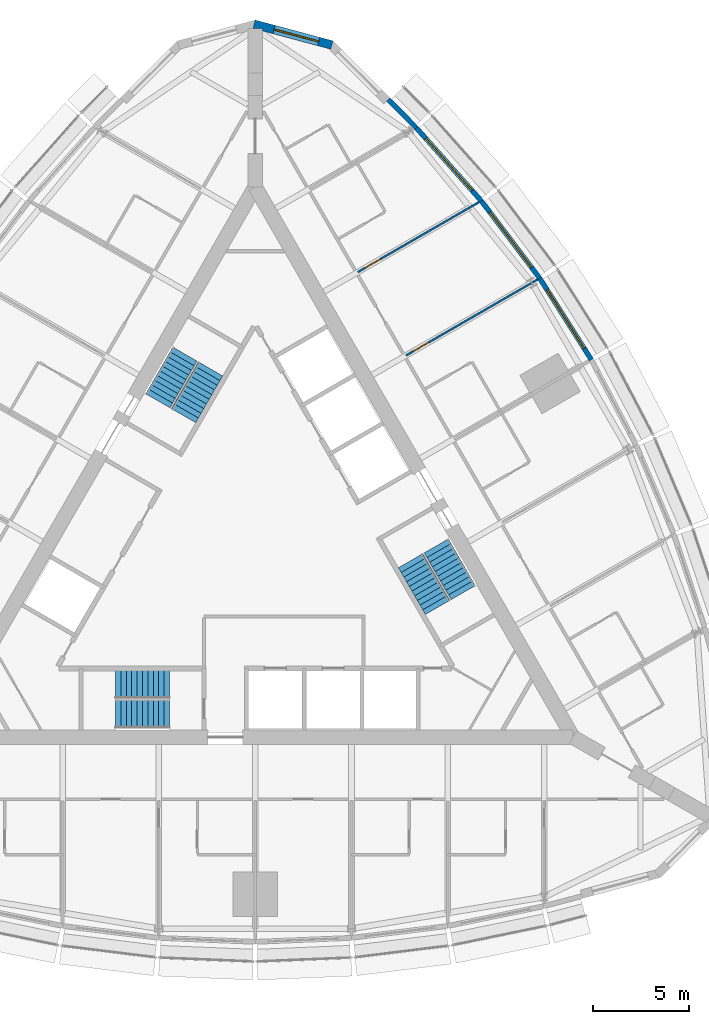
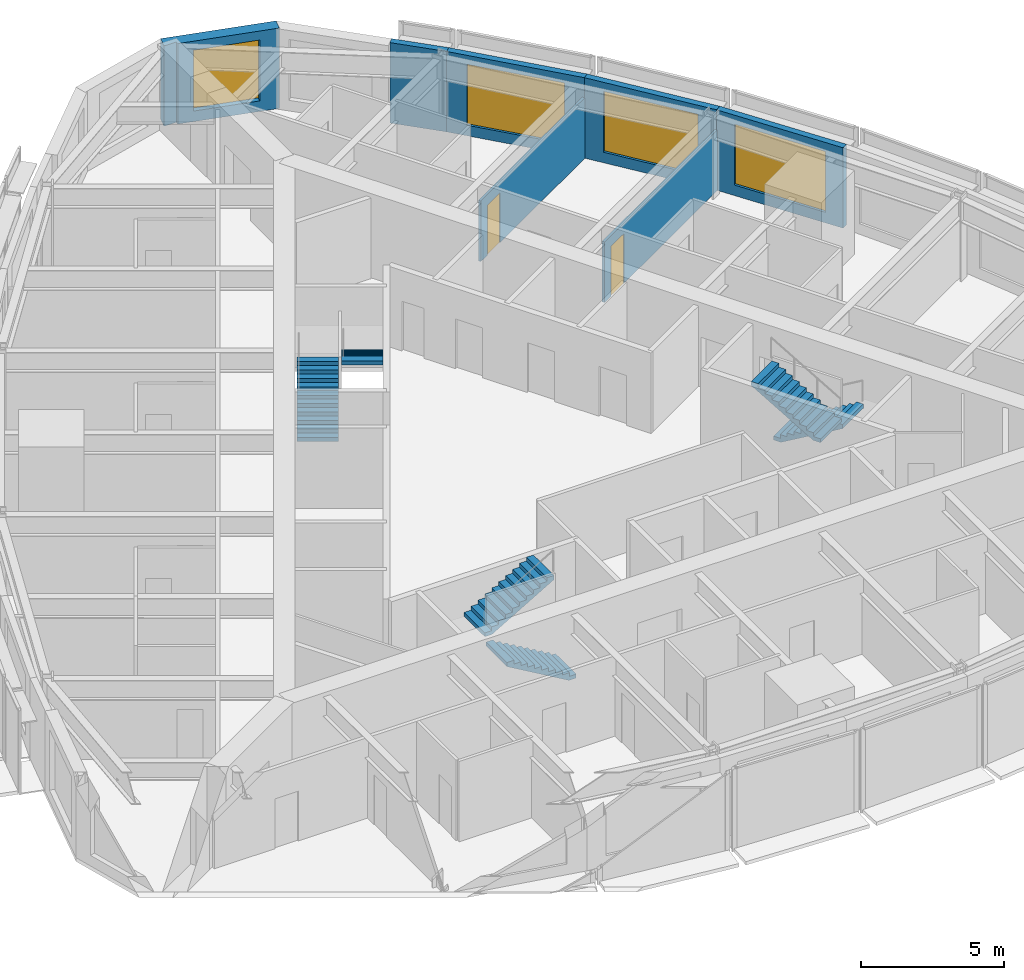
# One storey, part 14 of 15: 7 walls, 6 stair flights, 4 windows, 2 doors, 6 openings, 3 elements without a shape of their own.
"""IFC4 building model written with IfcOpenShell, lengths in metres."""

from ifc_helpers import new_model, si_unit, direction, frame, frame_2d, origin, place, context, subcontext, project, spatial, polyline, rectangle, outline, extrude, material, layer, layer_set, type_object, element, fill, aggregate, save


model = new_model("IFC4")

# Units and contexts
model_context = context("Model", 3, precision=1e-05, world=origin(), true_north=direction((0.0, 1.0)))
body_context = subcontext(model_context, "Body", "Model", "MODEL_VIEW")
ifc_project = project(units=[si_unit("LENGTHUNIT", "METRE"), si_unit("AREAUNIT", "SQUARE_METRE"), si_unit("VOLUMEUNIT", "CUBIC_METRE"), si_unit("PLANEANGLEUNIT", "RADIAN"), si_unit("MASSUNIT", "GRAM", prefix="KILO")], contexts=[model_context])

# Site, building, storey
site_placement = place(None, origin())
site = spatial("IfcSite", under=ifc_project, at=site_placement, CompositionType="ELEMENT")
building_placement = place(site_placement, origin())
building = spatial("IfcBuilding", under=site, at=building_placement, Name="Trikona Tower", CompositionType="ELEMENT")
storey_placement = place(building_placement, frame((0.0, 0.0, 226.10009765625)))
storey = spatial("IfcBuildingStorey", under=building, at=storey_placement, Name="L60", CompositionType="ELEMENT", Elevation=226.10009765625)

# Wall, opening, window
ifc_material_1 = material(Name="Brick-faced precast concrete", Category="masonry")
ifc_layer_1 = layer(ifc_material_1, 0.449951171875)
ifc_layer_set_1 = layer_set([ifc_layer_1], Name="Brick-faced corner wall 450")
wall_type_1 = type_object("IfcWallType", Name="Brick-faced corner wall 450", PredefinedType="SOLIDWALL", material=ifc_layer_set_1)
wall_1_placement = place(storey_placement, frame((3.9833984375, 26.41259765625, 0.0), z_axis=(0.0, 0.0, 1.0), x_axis=(-0.965920442324, 0.258839137498, 0.0)))
wall_1 = element("IfcWall", 1, at=wall_1_placement, inside=storey, type_object=wall_type_1, Name="External wall L60-21", PredefinedType="SOLIDWALL", context=body_context, shape_type="SweptSolid", body=[
    extrude(outline(polyline([(4.18408203125, 0.22509765625), (4.124267578125, 0.22509765625), (3.70556640625, 0.11279296875), (3.675537109375, 0.22509765625), (0.0, 0.22509765625), (0.0, -0.22509765625), (4.18408203125, -0.22509765625), (4.18408203125, 0.22509765625)])), origin(), (0.0, 0.0, 1.0), 3.434814453125),
])
opening_1_placement = place(wall_1_placement, frame((0.712646484375, 0.0, 0.449951171875)))
opening_1 = element("IfcOpeningElement", 2, at=opening_1_placement, cuts=wall_1, Name="Opening W2426", PredefinedType="OPENING", context=body_context, shape_type="SweptSolid", body=[
    extrude(rectangle(XDim=2.39990234375, YDim=2.60009765625, at=frame_2d((1.199951171875, 1.300048828125))), frame((0.0, 0.23486328125, 0.0), z_axis=(0.0, -1.0, 0.0), x_axis=(1.0, 0.0, 0.0)), (0.0, 0.0, 1.0), 0.469970703125),
])
ifc_material_2 = material(Name="Aluminium-framed double glazing", Category="aluminium")
window_type_1 = type_object("IfcWindowType", Name="Window 2400x2600", PartitioningType="SINGLE_PANEL", PredefinedType="WINDOW", material=ifc_material_2)
window_1_placement = place(opening_1_placement, origin())
window_1 = element("IfcWindow", 3, at=window_1_placement, inside=storey, type_object=window_type_1, Name="Window 6008", OverallHeight=2.60009765625, OverallWidth=2.39990234375, PartitioningType="SINGLE_PANEL", PredefinedType="WINDOW", context=body_context, shape_type="SweptSolid", body=[
    extrude(rectangle(XDim=2.39990234375, YDim=2.60009765625, at=frame_2d((1.199951171875, 1.300048828125))), frame((0.0, 0.030029296875, 0.0), z_axis=(0.0, -1.0, 0.0), x_axis=(1.0, 0.0, 0.0)), (0.0, 0.0, 1.0), 0.06005859375),
])
fill(opening_1, window_1)

ifc_material_3 = material(Name="Insulated precast concrete spandrel panel", Category="concrete")
ifc_layer_2 = layer(ifc_material_3, 0.25)
ifc_layer_set_2 = layer_set([ifc_layer_2], Name="Inner skin wall 250")
wall_type_2 = type_object("IfcWallType", Name="Inner skin wall 250", PredefinedType="STANDARD", material=ifc_layer_set_2)
wall_2_placement = place(storey_placement, frame((17.45556640625, 10.072021484375, 0.0), z_axis=(0.0, 0.0, 1.0), x_axis=(-0.535220361449, 0.844712474568, 0.0)))
wall_2 = element("IfcWall", 4, at=wall_2_placement, inside=storey, type_object=wall_type_2, Name="External wall L60-16", PredefinedType="STANDARD", context=body_context, shape_type="SweptSolid", body=[
    extrude(rectangle(XDim=5.00439453125, YDim=0.25, at=frame_2d((2.502197265625, 0.0))), origin(), (0.0, 0.0, 1.0), 3.434814453125),
])
opening_2_placement = place(wall_2_placement, frame((0.7021484375, 0.0, 0.449951171875)))
opening_2 = element("IfcOpeningElement", 5, at=opening_2_placement, cuts=wall_2, Name="Opening W3626", PredefinedType="OPENING", context=body_context, shape_type="SweptSolid", body=[
    extrude(rectangle(XDim=3.60009765625, YDim=2.60009765625, at=frame_2d((1.800048828125, 1.300048828125))), frame((0.0, 0.135009765625, 0.0), z_axis=(0.0, -1.0, 0.0), x_axis=(1.0, 0.0, 0.0)), (0.0, 0.0, 1.0), 0.27001953125),
])
ifc_material_4 = material(Name="Aluminium-framed double glazing", Category="aluminium")
window_type_2 = type_object("IfcWindowType", Name="Window 3600x2600", PartitioningType="SINGLE_PANEL", PredefinedType="WINDOW", material=ifc_material_4)
window_2_placement = place(opening_2_placement, origin())
window_2 = element("IfcWindow", 6, at=window_2_placement, inside=storey, type_object=window_type_2, Name="Window 6007.1", OverallHeight=2.60009765625, OverallWidth=3.60009765625, PartitioningType="SINGLE_PANEL", PredefinedType="WINDOW", context=body_context, shape_type="SweptSolid", body=[
    extrude(rectangle(XDim=3.60009765625, YDim=2.60009765625, at=frame_2d((1.800048828125, 1.300048828125))), frame((0.0, 0.030029296875, 0.0), z_axis=(0.0, -1.0, 0.0), x_axis=(1.0, 0.0, 0.0)), (0.0, 0.0, 1.0), 0.06005859375),
])
fill(opening_2, window_2)

wall_3_placement = place(storey_placement, frame((14.782958984375, 14.290771484375, 0.0), z_axis=(0.0, 0.0, 1.0), x_axis=(-0.602408653511, 0.798187831388, 0.0)))
wall_3 = element("IfcWall", 7, at=wall_3_placement, inside=storey, type_object=wall_type_2, Name="External wall L60-17", PredefinedType="STANDARD", context=body_context, shape_type="SweptSolid", body=[
    extrude(rectangle(XDim=5.037841796875, YDim=0.25, at=frame_2d((2.51904296875, 0.0))), origin(), (0.0, 0.0, 1.0), 3.434814453125),
])
opening_3_placement = place(wall_3_placement, frame((0.718994140625, 0.0, 0.449951171875)))
opening_3 = element("IfcOpeningElement", 8, at=opening_3_placement, cuts=wall_3, Name="Opening W3626", PredefinedType="OPENING", context=body_context, shape_type="SweptSolid", body=[
    extrude(rectangle(XDim=3.60009765625, YDim=2.60009765625, at=frame_2d((1.800048828125, 1.300048828125))), frame((0.0, 0.135009765625, 0.0), z_axis=(0.0, -1.0, 0.0), x_axis=(1.0, 0.0, 0.0)), (0.0, 0.0, 1.0), 0.27001953125),
])
window_3_placement = place(opening_3_placement, origin())
window_3 = element("IfcWindow", 9, at=window_3_placement, inside=storey, type_object=window_type_2, Name="Window 6007", OverallHeight=2.60009765625, OverallWidth=3.60009765625, PartitioningType="SINGLE_PANEL", PredefinedType="WINDOW", context=body_context, shape_type="SweptSolid", body=[
    extrude(rectangle(XDim=3.60009765625, YDim=2.60009765625, at=frame_2d((1.800048828125, 1.300048828125))), frame((0.0, 0.030029296875, 0.0), z_axis=(0.0, -1.0, 0.0), x_axis=(1.0, 0.0, 0.0)), (0.0, 0.0, 1.0), 0.06005859375),
])
fill(opening_3, window_3)

wall_4_placement = place(storey_placement, frame((11.75439453125, 18.304443359375, 0.0), z_axis=(0.0, 0.0, 1.0), x_axis=(-0.664348996191, 0.747422511876, 0.0)))
wall_4 = element("IfcWall", 10, at=wall_4_placement, inside=storey, type_object=wall_type_2, Name="External wall L60-18", PredefinedType="STANDARD", context=body_context, shape_type="SweptSolid", body=[
    extrude(rectangle(XDim=5.104736328125, YDim=0.25, at=frame_2d((2.55224609375, 0.0))), origin(), (0.0, 0.0, 1.0), 3.434814453125),
])
opening_4_placement = place(wall_4_placement, frame((0.75244140625, 0.0, 0.449951171875)))
opening_4 = element("IfcOpeningElement", 11, at=opening_4_placement, cuts=wall_4, Name="Opening W3626", PredefinedType="OPENING", context=body_context, shape_type="SweptSolid", body=[
    extrude(rectangle(XDim=3.60009765625, YDim=2.60009765625, at=frame_2d((1.800048828125, 1.300048828125))), frame((0.0, 0.135009765625, 0.0), z_axis=(0.0, -1.0, 0.0), x_axis=(1.0, 0.0, 0.0)), (0.0, 0.0, 1.0), 0.27001953125),
])
window_4_placement = place(opening_4_placement, origin())
window_4 = element("IfcWindow", 12, at=window_4_placement, inside=storey, type_object=window_type_2, Name="Window 6007.2", OverallHeight=2.60009765625, OverallWidth=3.60009765625, PartitioningType="SINGLE_PANEL", PredefinedType="WINDOW", context=body_context, shape_type="SweptSolid", body=[
    extrude(rectangle(XDim=3.60009765625, YDim=2.60009765625, at=frame_2d((1.800048828125, 1.300048828125))), frame((0.0, 0.030029296875, 0.0), z_axis=(0.0, -1.0, 0.0), x_axis=(1.0, 0.0, 0.0)), (0.0, 0.0, 1.0), 0.06005859375),
])
fill(opening_4, window_4)

# Wall
wall_5_placement = place(storey_placement, frame((8.36767578125, 22.11474609375, 0.0), z_axis=(0.0, 0.0, 1.0), x_axis=(-0.704149946111, 0.710051303352, 0.0)))
element("IfcWall", 13, at=wall_5_placement, inside=storey, type_object=wall_type_2, Name="External wall L60-19", PredefinedType="STANDARD", context=body_context, shape_type="SweptSolid", body=[
    extrude(rectangle(XDim=2.068603515625, YDim=0.25, at=frame_2d((1.0341796875, 0.0))), origin(), (0.0, 0.0, 1.0), 3.434814453125),
])

# Wall, opening, door
ifc_material_5 = material(Name="Metal stud and gypsum board, acoustic", Category="gypsum")
ifc_layer_3 = layer(ifc_material_5, 0.10009765625)
ifc_layer_set_3 = layer_set([ifc_layer_3], Name="Suite partition 100")
wall_type_3 = type_object("IfcWallType", Name="Suite partition 100", PredefinedType="PARTITIONING", material=ifc_layer_set_3)
wall_6_placement = place(storey_placement, frame((7.82861328125, 10.293212890625, 0.0), z_axis=(0.0, 0.0, 1.0), x_axis=(0.866030558329, 0.49999107196, 0.0)))
wall_6 = element("IfcWall", 14, at=wall_6_placement, inside=storey, type_object=wall_type_3, Name="Suite partition L60 F2 u5", PredefinedType="PARTITIONING", context=body_context, shape_type="SweptSolid", body=[
    extrude(rectangle(XDim=7.893798828125, YDim=0.10009765625, at=frame_2d((3.94677734375, 0.0))), origin(), (0.0, 0.0, 1.0), 2.589111328125),
])
opening_5_placement = place(wall_6_placement, frame((0.449951171875, 0.0, 0.0)))
opening_5 = element("IfcOpeningElement", 15, at=opening_5_placement, cuts=wall_6, Name="Opening D13", PredefinedType="OPENING", context=body_context, shape_type="SweptSolid", body=[
    extrude(rectangle(XDim=0.89990234375, YDim=2.1298828125, at=frame_2d((0.449951171875, 1.06494140625))), frame((0.0, 0.06005859375, 0.0), z_axis=(0.0, -1.0, 0.0), x_axis=(1.0, 0.0, 0.0)), (0.0, 0.0, 1.0), 0.1201171875),
])
ifc_material_6 = material(Name="Steel door frame with solid-core timber leaf", Category="steel")
door_type = type_object("IfcDoorType", Name="Suite door 900x2130", OperationType="SINGLE_SWING_LEFT", PredefinedType="DOOR", material=ifc_material_6)
door_1_placement = place(opening_5_placement, origin())
door_1 = element("IfcDoor", 16, at=door_1_placement, inside=storey, type_object=door_type, Name="Suite door 6007", OperationType="SINGLE_SWING_LEFT", OverallHeight=2.1298828125, OverallWidth=0.89990234375, PredefinedType="DOOR", context=body_context, shape_type="SweptSolid", body=[
    extrude(rectangle(XDim=0.89990234375, YDim=2.1298828125, at=frame_2d((0.449951171875, 1.06494140625))), frame((0.0, 0.02490234375, 0.0), z_axis=(0.0, -1.0, 0.0), x_axis=(1.0, 0.0, 0.0)), (0.0, 0.0, 1.0), 0.050048828125),
])
fill(opening_5, door_1)

wall_7_placement = place(storey_placement, frame((5.32861328125, 14.623291015625, 0.0), z_axis=(0.0, 0.0, 1.0), x_axis=(0.866017877653, 0.500013035415, 0.0)))
wall_7 = element("IfcWall", 17, at=wall_7_placement, inside=storey, type_object=wall_type_3, Name="Suite partition L60 F2 u10", PredefinedType="PARTITIONING", context=body_context, shape_type="SweptSolid", body=[
    extrude(rectangle(XDim=7.272705078125, YDim=0.10009765625, at=frame_2d((3.63623046875, 0.0))), origin(), (0.0, 0.0, 1.0), 2.589111328125),
])
opening_6_placement = place(wall_7_placement, frame((0.449951171875, 0.0, 0.0)))
opening_6 = element("IfcOpeningElement", 18, at=opening_6_placement, cuts=wall_7, Name="Opening D13", PredefinedType="OPENING", context=body_context, shape_type="SweptSolid", body=[
    extrude(rectangle(XDim=0.89990234375, YDim=2.1298828125, at=frame_2d((0.449951171875, 1.06494140625))), frame((0.0, 0.06005859375, 0.0), z_axis=(0.0, -1.0, 0.0), x_axis=(1.0, 0.0, 0.0)), (0.0, 0.0, 1.0), 0.1201171875),
])
door_2_placement = place(opening_6_placement, origin())
door_2 = element("IfcDoor", 19, at=door_2_placement, inside=storey, type_object=door_type, Name="Suite door 6007", OperationType="SINGLE_SWING_LEFT", OverallHeight=2.1298828125, OverallWidth=0.89990234375, PredefinedType="DOOR", context=body_context, shape_type="SweptSolid", body=[
    extrude(rectangle(XDim=0.89990234375, YDim=2.1298828125, at=frame_2d((0.449951171875, 1.06494140625))), frame((0.0, 0.02490234375, 0.0), z_axis=(0.0, -1.0, 0.0), x_axis=(1.0, 0.0, 0.0)), (0.0, 0.0, 1.0), 0.050048828125),
])
fill(opening_6, door_2)

# Stair, stair flights
ifc_material_7 = material(Name="Concrete f'c 5000 psi", Category="concrete")
stair_type = type_object("IfcStairType", Name="Core stair", PredefinedType="HALF_TURN_STAIR", material=ifc_material_7)
stair_1_placement = place(storey_placement, origin())
stair_1 = element("IfcStair", 20, at=stair_1_placement, inside=storey, type_object=stair_type, Name="Stair A L60", PredefinedType="HALF_TURN_STAIR")
ifc_material_8 = material(Name="Concrete f'c 5000 psi", Category="concrete")
stair_flight_type = type_object("IfcStairFlightType", Name="Core stair flight 1450", PredefinedType="STRAIGHT", material=ifc_material_8)
stair_flight_1_placement = place(storey_placement, frame((-4.449951171875, -8.351318359375, 0.0), z_axis=(0.0, 0.0, 1.0), x_axis=(-1.0, 0.0, 0.0)))
stair_flight_1 = element("IfcStairFlight", 21, at=stair_flight_1_placement, type_object=stair_flight_type, Name="ST-A flight 1", NumberOfRisers=11, NumberOfTreads=10, PredefinedType="STRAIGHT", RiserHeight=0.163636, TreadLength=0.28, context=body_context, shape_type="SweptSolid", body=[
    extrude(outline(polyline([(0.0, 0.0), (0.0, 0.16357421875), (0.280029296875, 0.16357421875), (0.280029296875, 0.327392578125), (0.56005859375, 0.327392578125), (0.56005859375, 0.490966796875), (0.840087890625, 0.490966796875), (0.840087890625, 0.654541015625), (1.1201171875, 0.654541015625), (1.1201171875, 0.818115234375), (1.39990234375, 0.818115234375), (1.39990234375, 0.98193359375), (1.679931640625, 0.98193359375), (1.679931640625, 1.1455078125), (1.9599609375, 1.1455078125), (1.9599609375, 1.30908203125), (2.239990234375, 1.30908203125), (2.239990234375, 1.47265625), (2.52001953125, 1.47265625), (2.52001953125, 1.636474609375), (2.800048828125, 1.636474609375), (2.800048828125, 1.800048828125), (2.800048828125, 1.462646484375), (0.297119140625, 0.0), (0.0, 0.0)])), frame((0.0, 0.72509765625, 0.0), z_axis=(0.0, -1.0, 0.0), x_axis=(1.0, 0.0, 0.0)), (0.0, 0.0, 1.0), 1.449951171875),
])
stair_flight_2_placement = place(storey_placement, frame((-7.25, -6.80126953125, 1.7998046875), z_axis=(0.0, 0.0, 1.0), x_axis=(1.0, 0.0, 0.0)))
stair_flight_2 = element("IfcStairFlight", 22, at=stair_flight_2_placement, type_object=stair_flight_type, Name="ST-A flight 2", NumberOfRisers=11, NumberOfTreads=10, PredefinedType="STRAIGHT", RiserHeight=0.163636, TreadLength=0.28, context=body_context, shape_type="SweptSolid", body=[
    extrude(outline(polyline([(0.0, 0.0), (0.0, 0.16357421875), (0.280029296875, 0.16357421875), (0.280029296875, 0.327392578125), (0.56005859375, 0.327392578125), (0.56005859375, 0.490966796875), (0.840087890625, 0.490966796875), (0.840087890625, 0.654541015625), (1.1201171875, 0.654541015625), (1.1201171875, 0.818115234375), (1.39990234375, 0.818115234375), (1.39990234375, 0.98193359375), (1.679931640625, 0.98193359375), (1.679931640625, 1.1455078125), (1.9599609375, 1.1455078125), (1.9599609375, 1.30908203125), (2.239990234375, 1.30908203125), (2.239990234375, 1.47265625), (2.52001953125, 1.47265625), (2.52001953125, 1.636474609375), (2.800048828125, 1.636474609375), (2.800048828125, 1.800048828125), (2.800048828125, 1.462646484375), (0.297119140625, 0.0), (0.0, 0.0)])), frame((0.0, 0.72509765625, 0.0), z_axis=(0.0, -1.0, 0.0), x_axis=(1.0, 0.0, 0.0)), (0.0, 0.0, 1.0), 1.449951171875),
])
aggregate(stair_1, [stair_flight_1, stair_flight_2])

stair_2_placement = place(storey_placement, origin())
stair_2 = element("IfcStair", 23, at=stair_2_placement, inside=storey, type_object=stair_type, Name="Stair B L60", PredefinedType="HALF_TURN_STAIR")
stair_flight_3_placement = place(storey_placement, frame((9.407470703125, 0.408447265625, 0.0), z_axis=(0.0, 0.0, 1.0), x_axis=(0.5, -0.866025403784, 0.0)))
stair_flight_3 = element("IfcStairFlight", 24, at=stair_flight_3_placement, type_object=stair_flight_type, Name="ST-B flight 1", NumberOfRisers=11, NumberOfTreads=10, PredefinedType="STRAIGHT", RiserHeight=0.163636, TreadLength=0.28, context=body_context, shape_type="SweptSolid", body=[
    extrude(outline(polyline([(0.0, 0.0), (0.0, 0.16357421875), (0.280029296875, 0.16357421875), (0.280029296875, 0.327392578125), (0.56005859375, 0.327392578125), (0.56005859375, 0.490966796875), (0.840087890625, 0.490966796875), (0.840087890625, 0.654541015625), (1.1201171875, 0.654541015625), (1.1201171875, 0.818115234375), (1.39990234375, 0.818115234375), (1.39990234375, 0.98193359375), (1.679931640625, 0.98193359375), (1.679931640625, 1.1455078125), (1.9599609375, 1.1455078125), (1.9599609375, 1.30908203125), (2.239990234375, 1.30908203125), (2.239990234375, 1.47265625), (2.52001953125, 1.47265625), (2.52001953125, 1.636474609375), (2.800048828125, 1.636474609375), (2.800048828125, 1.800048828125), (2.800048828125, 1.462646484375), (0.297119140625, 0.0), (0.0, 0.0)])), frame((0.0, 0.72509765625, 0.0), z_axis=(0.0, -1.0, 0.0), x_axis=(1.0, 0.0, 0.0)), (0.0, 0.0, 1.0), 1.449951171875),
])
stair_flight_4_placement = place(storey_placement, frame((9.465087890625, -2.79150390625, 1.7998046875), z_axis=(0.0, 0.0, 1.0), x_axis=(-0.5, 0.866025403784, 0.0)))
stair_flight_4 = element("IfcStairFlight", 25, at=stair_flight_4_placement, type_object=stair_flight_type, Name="ST-B flight 2", NumberOfRisers=11, NumberOfTreads=10, PredefinedType="STRAIGHT", RiserHeight=0.163636, TreadLength=0.28, context=body_context, shape_type="SweptSolid", body=[
    extrude(outline(polyline([(0.0, 0.0), (0.0, 0.16357421875), (0.280029296875, 0.16357421875), (0.280029296875, 0.327392578125), (0.56005859375, 0.327392578125), (0.56005859375, 0.490966796875), (0.840087890625, 0.490966796875), (0.840087890625, 0.654541015625), (1.1201171875, 0.654541015625), (1.1201171875, 0.818115234375), (1.39990234375, 0.818115234375), (1.39990234375, 0.98193359375), (1.679931640625, 0.98193359375), (1.679931640625, 1.1455078125), (1.9599609375, 1.1455078125), (1.9599609375, 1.30908203125), (2.239990234375, 1.30908203125), (2.239990234375, 1.47265625), (2.52001953125, 1.47265625), (2.52001953125, 1.636474609375), (2.800048828125, 1.636474609375), (2.800048828125, 1.800048828125), (2.800048828125, 1.462646484375), (0.297119140625, 0.0), (0.0, 0.0)])), frame((0.0, 0.72509765625, 0.0), z_axis=(0.0, -1.0, 0.0), x_axis=(1.0, 0.0, 0.0)), (0.0, 0.0, 1.0), 1.449951171875),
])
aggregate(stair_2, [stair_flight_3, stair_flight_4])

stair_3_placement = place(storey_placement, origin())
stair_3 = element("IfcStair", 26, at=stair_3_placement, inside=storey, type_object=stair_type, Name="Stair C L60", PredefinedType="HALF_TURN_STAIR")
stair_flight_5_placement = place(storey_placement, frame((-5.057373046875, 7.94287109375, 0.0), z_axis=(0.0, 0.0, 1.0), x_axis=(0.5, 0.866025403784, 0.0)))
stair_flight_5 = element("IfcStairFlight", 27, at=stair_flight_5_placement, type_object=stair_flight_type, Name="ST-C flight 1", NumberOfRisers=11, NumberOfTreads=10, PredefinedType="STRAIGHT", RiserHeight=0.163636, TreadLength=0.28, context=body_context, shape_type="SweptSolid", body=[
    extrude(outline(polyline([(0.0, 0.0), (0.0, 0.16357421875), (0.280029296875, 0.16357421875), (0.280029296875, 0.327392578125), (0.56005859375, 0.327392578125), (0.56005859375, 0.490966796875), (0.840087890625, 0.490966796875), (0.840087890625, 0.654541015625), (1.1201171875, 0.654541015625), (1.1201171875, 0.818115234375), (1.39990234375, 0.818115234375), (1.39990234375, 0.98193359375), (1.679931640625, 0.98193359375), (1.679931640625, 1.1455078125), (1.9599609375, 1.1455078125), (1.9599609375, 1.30908203125), (2.239990234375, 1.30908203125), (2.239990234375, 1.47265625), (2.52001953125, 1.47265625), (2.52001953125, 1.636474609375), (2.800048828125, 1.636474609375), (2.800048828125, 1.800048828125), (2.800048828125, 1.462646484375), (0.297119140625, 0.0), (0.0, 0.0)])), frame((0.0, 0.72509765625, 0.0), z_axis=(0.0, -1.0, 0.0), x_axis=(1.0, 0.0, 0.0)), (0.0, 0.0, 1.0), 1.449951171875),
])
stair_flight_6_placement = place(storey_placement, frame((-2.315185546875, 9.5927734375, 1.7998046875), z_axis=(0.0, 0.0, 1.0), x_axis=(-0.5, -0.866025403784, 0.0)))
stair_flight_6 = element("IfcStairFlight", 28, at=stair_flight_6_placement, type_object=stair_flight_type, Name="ST-C flight 2", NumberOfRisers=11, NumberOfTreads=10, PredefinedType="STRAIGHT", RiserHeight=0.163636, TreadLength=0.28, context=body_context, shape_type="SweptSolid", body=[
    extrude(outline(polyline([(0.0, 0.0), (0.0, 0.16357421875), (0.280029296875, 0.16357421875), (0.280029296875, 0.327392578125), (0.56005859375, 0.327392578125), (0.56005859375, 0.490966796875), (0.840087890625, 0.490966796875), (0.840087890625, 0.654541015625), (1.1201171875, 0.654541015625), (1.1201171875, 0.818115234375), (1.39990234375, 0.818115234375), (1.39990234375, 0.98193359375), (1.679931640625, 0.98193359375), (1.679931640625, 1.1455078125), (1.9599609375, 1.1455078125), (1.9599609375, 1.30908203125), (2.239990234375, 1.30908203125), (2.239990234375, 1.47265625), (2.52001953125, 1.47265625), (2.52001953125, 1.636474609375), (2.800048828125, 1.636474609375), (2.800048828125, 1.800048828125), (2.800048828125, 1.462646484375), (0.297119140625, 0.0), (0.0, 0.0)])), frame((0.0, 0.72509765625, 0.0), z_axis=(0.0, -1.0, 0.0), x_axis=(1.0, 0.0, 0.0)), (0.0, 0.0, 1.0), 1.449951171875),
])
aggregate(stair_3, [stair_flight_5, stair_flight_6])

save(model, "model.ifc")
